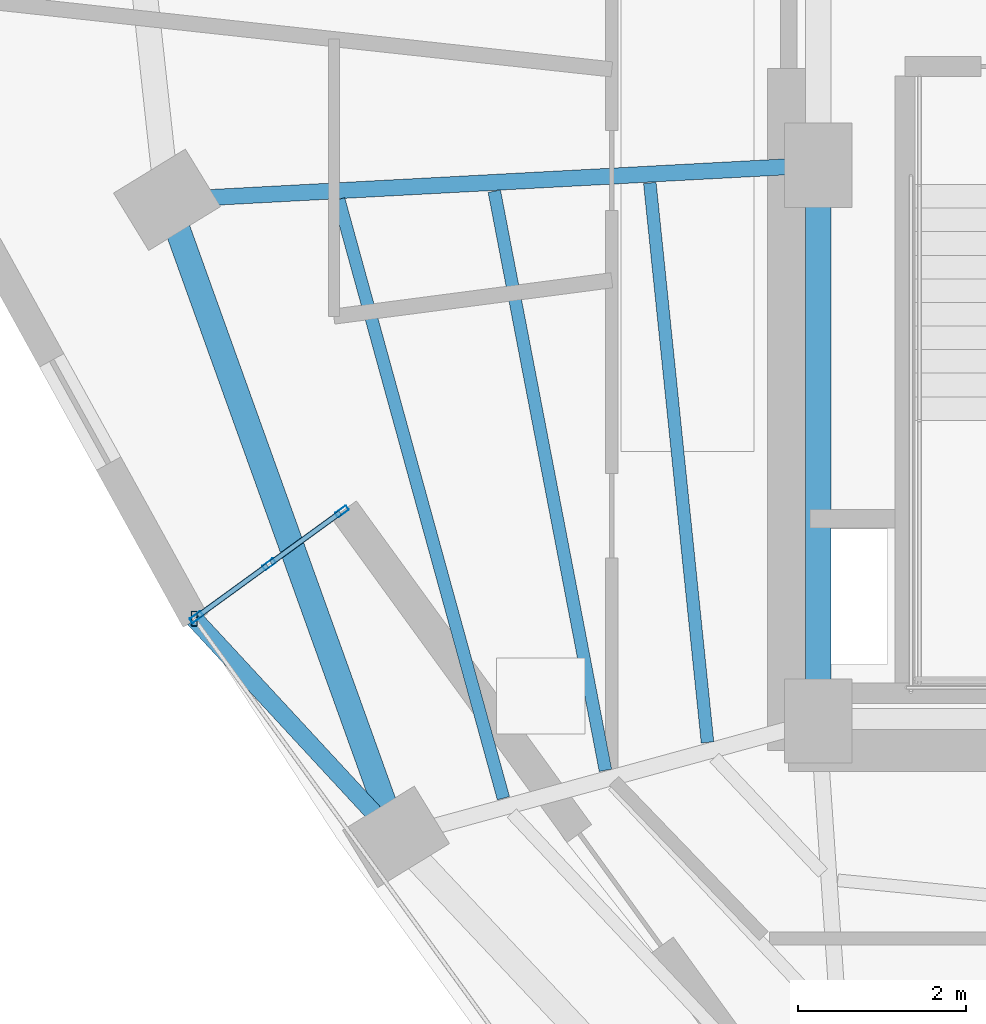
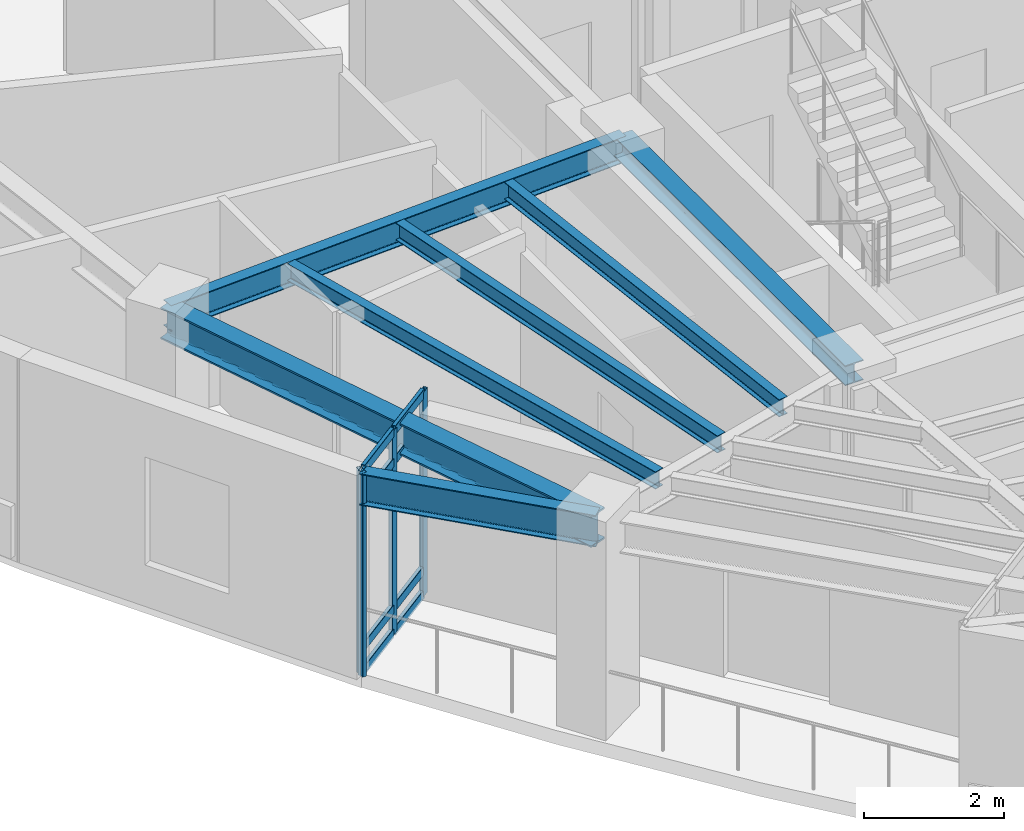
# One storey, part 4 of 12: 12 members, 7 beams, 1 element without a shape of its own.
"""IFC4 building model written with IfcOpenShell, lengths in metres."""

from ifc_helpers import new_model, si_unit, direction, frame, origin, origin_2d, place, context, subcontext, project, spatial, hollow_rectangle, i_section, extrude, material, layer, layer_set, material_profile, profile_set, type_object, element, aggregate, save


model = new_model("IFC4")

# Units and contexts
model_context = context("Model", 3, precision=1e-05, world=origin(), true_north=direction((0.0, 1.0)))
body_context = subcontext(model_context, "Body", "Model", "MODEL_VIEW")
ifc_project = project(units=[si_unit("LENGTHUNIT", "METRE"), si_unit("AREAUNIT", "SQUARE_METRE"), si_unit("VOLUMEUNIT", "CUBIC_METRE"), si_unit("PLANEANGLEUNIT", "RADIAN"), si_unit("MASSUNIT", "GRAM", prefix="KILO")], contexts=[model_context])

# Site, building, storey
site_placement = place(None, origin())
site = spatial("IfcSite", under=ifc_project, at=site_placement, CompositionType="ELEMENT")
building_placement = place(site_placement, origin())
building = spatial("IfcBuilding", under=site, at=building_placement, Name="Ndelora Gate Hotel", CompositionType="ELEMENT")
storey_placement = place(building_placement, frame((0.0, 0.0, 232.14990234375)))
storey = spatial("IfcBuildingStorey", under=building, at=storey_placement, Name="L58", CompositionType="ELEMENT", Elevation=232.14990234375)

# Beams
ifc_material_1 = material(Name="Steel S355", Category="steel")
ifc_material_profile_1 = material_profile(ifc_material_1, i_section(OverallWidth=0.300048828125, OverallDepth=0.35009765625, WebThickness=0.010009765625, FlangeThickness=0.017578125, FilletRadius=0.027099609375, at=origin_2d()), Name="HEA 360")
ifc_profile_set_1 = profile_set([ifc_material_profile_1], Name="Steel S355")
beam_type_1 = type_object("IfcBeamType", Name="BM-CORE-350", PredefinedType="BEAM", material=ifc_profile_set_1)
beam_1_placement = place(storey_placement, frame((-8.0, -6.60009765625, 3.375), z_axis=(0.0, 1.0, 0.0), x_axis=(-1.0, 0.0, 0.0)))
element("IfcBeam", 1, at=beam_1_placement, inside=storey, type_object=beam_type_1, Name="L58 Core Tie Girder CC1-CC8", PredefinedType="BEAM", context=body_context, shape_type="SweptSolid", body=[
    extrude(i_section(OverallWidth=0.300048828125, OverallDepth=0.35009765625, WebThickness=0.010009765625, FlangeThickness=0.017578125, FilletRadius=0.027099609375, at=origin_2d()), origin(), (0.0, 0.0, 1.0), 6.60009765625),
])
ifc_material_profile_2 = material_profile(ifc_material_1, i_section(OverallWidth=0.14990234375, OverallDepth=0.300048828125, WebThickness=0.007080078125, FlangeThickness=0.0107421875, FilletRadius=0.014892578125, at=origin_2d()), Name="IPE 300")
ifc_profile_set_2 = profile_set([ifc_material_profile_2], Name="Steel S355")
beam_type_2 = type_object("IfcBeamType", Name="BM-JST-300", PredefinedType="JOIST", material=ifc_profile_set_2)
beam_2_placement = place(storey_placement, frame((-9.9990234375, -0.21142578125, 3.400146484375), z_axis=(0.10260596827, -0.994722079415, 0.0), x_axis=(0.994722079415, 0.10260596827, 0.0)))
element("IfcBeam", 2, at=beam_2_placement, inside=storey, type_object=beam_type_2, Name="L58 Secondary Composite Floor Joist IN-2", PredefinedType="JOIST", context=body_context, shape_type="SweptSolid", body=[
    extrude(i_section(OverallWidth=0.14990234375, OverallDepth=0.300048828125, WebThickness=0.007080078125, FlangeThickness=0.0107421875, FilletRadius=0.014892578125, at=origin_2d()), origin(), (0.0, 0.0, 1.0), 6.676513671875),
])
beam_3_placement = place(storey_placement, frame((-11.84521484375, -0.30908203125, 3.400146484375), z_axis=(0.188470955684, -0.982078764083, 0.0), x_axis=(0.982078764083, 0.188470955684, 0.0)))
element("IfcBeam", 3, at=beam_3_placement, inside=storey, type_object=beam_type_2, Name="L58 Secondary Composite Floor Joist MID-2", PredefinedType="JOIST", context=body_context, shape_type="SweptSolid", body=[
    extrude(i_section(OverallWidth=0.14990234375, OverallDepth=0.300048828125, WebThickness=0.007080078125, FlangeThickness=0.0107421875, FilletRadius=0.014892578125, at=origin_2d()), origin(), (0.0, 0.0, 1.0), 7.000244140625),
])
beam_4_placement = place(storey_placement, frame((-13.6923828125, -0.406005859375, 3.400146484375), z_axis=(0.2652180483, -0.964188460238, 0.0), x_axis=(0.964188460238, 0.2652180483, 0.0)))
element("IfcBeam", 4, at=beam_4_placement, inside=storey, type_object=beam_type_2, Name="L58 Secondary Composite Floor Joist OUT-2", PredefinedType="JOIST", context=body_context, shape_type="SweptSolid", body=[
    extrude(i_section(OverallWidth=0.14990234375, OverallDepth=0.300048828125, WebThickness=0.007080078125, FlangeThickness=0.0107421875, FilletRadius=0.014892578125, at=origin_2d()), origin(), (0.0, 0.0, 1.0), 7.37353515625),
])
ifc_material_profile_3 = material_profile(ifc_material_1, i_section(OverallWidth=0.18994140625, OverallDepth=0.449951171875, WebThickness=0.009521484375, FlangeThickness=0.0146484375, FilletRadius=0.02099609375, at=origin_2d()), Name="IPE 450")
ifc_profile_set_3 = profile_set([ifc_material_profile_3], Name="Steel S355")
beam_type_3 = type_object("IfcBeamType", Name="BM-RAD-450", PredefinedType="BEAM", material=ifc_profile_set_3)
beam_5_placement = place(storey_placement, frame((-8.0, 0.0, 3.3251953125), z_axis=(-0.998583554121, -0.053206065814, 0.0), x_axis=(0.053206065814, -0.998583554121, 0.0)))
element("IfcBeam", 5, at=beam_5_placement, inside=storey, type_object=beam_type_3, Name="L58 Radial Floor Girder 2", PredefinedType="BEAM", context=body_context, shape_type="SweptSolid", body=[
    extrude(i_section(OverallWidth=0.18994140625, OverallDepth=0.449951171875, WebThickness=0.009521484375, FlangeThickness=0.0146484375, FilletRadius=0.02099609375, at=origin_2d()), origin(), (0.0, 0.0, 1.0), 7.740966796875),
])
ifc_material_profile_4 = material_profile(ifc_material_1, i_section(OverallWidth=0.2099609375, OverallDepth=0.550048828125, WebThickness=0.010986328125, FlangeThickness=0.01708984375, FilletRadius=0.02392578125, at=origin_2d()), Name="IPE 550")
ifc_profile_set_4 = profile_set([ifc_material_profile_4], Name="Steel S355")
beam_type_4 = type_object("IfcBeamType", Name="BM-RAD-550", PredefinedType="BEAM", material=ifc_profile_set_4)
beam_6_placement = place(storey_placement, frame((-13.011962890625, -7.973876953125, 3.275146484375), z_axis=(-0.679096061615, 0.734049411892, 0.0), x_axis=(-0.734049411892, -0.679096061615, 0.0)))
element("IfcBeam", 6, at=beam_6_placement, inside=storey, type_object=beam_type_4, Name="L58 Sky-Garden Loggia Column Bracket 1", PredefinedType="BEAM", context=body_context, shape_type="SweptSolid", body=[
    extrude(i_section(OverallWidth=0.2099609375, OverallDepth=0.550048828125, WebThickness=0.010986328125, FlangeThickness=0.01708984375, FilletRadius=0.02392578125, at=origin_2d()), origin(), (0.0, 0.0, 1.0), 3.527587890625),
])
ifc_material_profile_5 = material_profile(ifc_material_1, i_section(OverallWidth=0.300048828125, OverallDepth=0.550048828125, WebThickness=0.014892578125, FlangeThickness=0.029052734375, FilletRadius=0.027099609375, at=origin_2d()), Name="HEB 550")
ifc_profile_set_5 = profile_set([ifc_material_profile_5], Name="Steel S355")
beam_type_5 = type_object("IfcBeamType", Name="BM-RING-550", PredefinedType="SPANDREL", material=ifc_profile_set_5)
beam_7_placement = place(storey_placement, frame((-15.72998046875, -0.411865234375, 3.275146484375), z_axis=(0.338244972382, -0.941058095262, 0.0), x_axis=(0.941058095262, 0.338244972382, 0.0)))
element("IfcBeam", 7, at=beam_7_placement, inside=storey, type_object=beam_type_5, Name="L58 Perimeter Spandrel Girder 2", PredefinedType="SPANDREL", context=body_context, shape_type="SweptSolid", body=[
    extrude(i_section(OverallWidth=0.300048828125, OverallDepth=0.550048828125, WebThickness=0.014892578125, FlangeThickness=0.029052734375, FilletRadius=0.027099609375, at=origin_2d()), origin(), (0.0, 0.0, 1.0), 8.03564453125),
])

# Curtain wall, members
ifc_material_2 = material(Name="Bronze Anodised Unitised Aluminium and Low-E Glass", Category="aluminium")
ifc_layer = layer(ifc_material_2, 0.199951171875)
ifc_layer_set = layer_set([ifc_layer], Name="Bronze Anodised Unitised Aluminium and Low-E Glass")
curtain_wall_type = type_object("IfcCurtainWallType", Name="CW-SYS-3", PredefinedType="NOTDEFINED", material=ifc_layer_set)
curtain_wall_placement = place(storey_placement, origin())
curtain_wall = element("IfcCurtainWall", 8, at=curtain_wall_placement, inside=storey, type_object=curtain_wall_type, Name="L58 Sky-Garden Loggia Side Curtain Wall CW3-1", PredefinedType="NOTDEFINED")
ifc_material_3 = material(Name="Bronze Anodised Aluminium 6063-T6", Category="aluminium")
ifc_material_profile_6 = material_profile(ifc_material_3, hollow_rectangle(XDim=0.06494140625, YDim=0.159912109375, WallThickness=0.00390625, InnerFilletRadius=0.00390625, OuterFilletRadius=0.008056640625, at=origin_2d()), Name="ALU 160x65x4")
ifc_profile_set_6 = profile_set([ifc_material_profile_6], Name="Bronze Anodised Aluminium 6063-T6")
member_type_1 = type_object("IfcMemberType", Name="MB-CW-MUL150", PredefinedType="MULLION", material=ifc_profile_set_6)
member_1_placement = place(storey_placement, frame((-13.65380859375, -4.110595703125, -0.00390625), z_axis=(0.0, 0.0, 1.0), x_axis=(0.587785135859, -0.809017078969, 0.0)))
member_1 = element("IfcMember", 9, at=member_1_placement, type_object=member_type_1, Name="CW3 mullion 1", PredefinedType="MULLION", context=body_context, shape_type="SweptSolid", body=[
    extrude(hollow_rectangle(XDim=0.06494140625, YDim=0.159912109375, WallThickness=0.00390625, InnerFilletRadius=0.00390625, OuterFilletRadius=0.008056640625, at=origin_2d()), origin(), (0.0, 0.0, 1.0), 3.55810546875),
])
member_2_placement = place(storey_placement, frame((-14.517578125, -4.738037109375, -0.00390625), z_axis=(0.0, 0.0, 1.0), x_axis=(0.587785135859, -0.809017078969, 0.0)))
member_2 = element("IfcMember", 10, at=member_2_placement, type_object=member_type_1, Name="CW3 mullion 2", PredefinedType="MULLION", context=body_context, shape_type="SweptSolid", body=[
    extrude(hollow_rectangle(XDim=0.06494140625, YDim=0.159912109375, WallThickness=0.00390625, InnerFilletRadius=0.00390625, OuterFilletRadius=0.008056640625, at=origin_2d()), origin(), (0.0, 0.0, 1.0), 3.55810546875),
])
member_3_placement = place(storey_placement, frame((-15.381103515625, -5.365478515625, -0.00390625), z_axis=(0.0, 0.0, 1.0), x_axis=(0.587785135859, -0.809017078969, 0.0)))
member_3 = element("IfcMember", 11, at=member_3_placement, type_object=member_type_1, Name="CW3 mullion 3", PredefinedType="MULLION", context=body_context, shape_type="SweptSolid", body=[
    extrude(hollow_rectangle(XDim=0.06494140625, YDim=0.159912109375, WallThickness=0.00390625, InnerFilletRadius=0.00390625, OuterFilletRadius=0.008056640625, at=origin_2d()), origin(), (0.0, 0.0, 1.0), 3.55810546875),
])
ifc_material_profile_7 = material_profile(ifc_material_3, hollow_rectangle(XDim=0.070068359375, YDim=0.179931640625, WallThickness=0.0048828125, InnerFilletRadius=0.0048828125, OuterFilletRadius=0.010009765625, at=origin_2d()), Name="ALU 180x70x5")
ifc_profile_set_7 = profile_set([ifc_material_profile_7], Name="Bronze Anodised Aluminium 6063-T6")
member_type_2 = type_object("IfcMemberType", Name="MB-CW-MUL180", PredefinedType="MULLION", material=ifc_profile_set_7)
member_4_placement = place(storey_placement, frame((-15.407470703125, -5.384521484375, 0.0), z_axis=(0.0, 0.0, 1.0), x_axis=(1.0, 0.0, 0.0)))
member_4 = element("IfcMember", 12, at=member_4_placement, type_object=member_type_2, Name="L58 Sky-Garden Loggia Corner Mullion Post 1", PredefinedType="MULLION", context=body_context, shape_type="SweptSolid", body=[
    extrude(hollow_rectangle(XDim=0.070068359375, YDim=0.179931640625, WallThickness=0.0048828125, InnerFilletRadius=0.0048828125, OuterFilletRadius=0.010009765625, at=origin_2d()), origin(), (0.0, 0.0, 1.0), 3.550048828125),
])
ifc_material_profile_8 = material_profile(ifc_material_3, hollow_rectangle(XDim=0.06494140625, YDim=0.159912109375, WallThickness=0.00390625, InnerFilletRadius=0.00390625, OuterFilletRadius=0.008056640625, at=origin_2d()), Name="ALU 160x65x4")
ifc_profile_set_8 = profile_set([ifc_material_profile_8], Name="Bronze Anodised Aluminium 6063-T6")
member_type_3 = type_object("IfcMemberType", Name="MB-CW-TRN150", PredefinedType="USERDEFINED", material=ifc_profile_set_8)
member_5_placement = place(storey_placement, frame((-13.67529296875, -4.126220703125, 0.03271484375), z_axis=(-0.809089769205, -0.58768507329, 0.0), x_axis=(0.58768507329, -0.809089769205, 0.0)))
member_5 = element("IfcMember", 13, at=member_5_placement, type_object=member_type_3, Name="CW3 transom 1.1", ObjectType="TRANSOM", PredefinedType="USERDEFINED", context=body_context, shape_type="SweptSolid", body=[
    extrude(hollow_rectangle(XDim=0.06494140625, YDim=0.159912109375, WallThickness=0.00390625, InnerFilletRadius=0.00390625, OuterFilletRadius=0.008056640625, at=origin_2d()), origin(), (0.0, 0.0, 1.0), 1.014404296875),
])
member_6_placement = place(storey_placement, frame((-13.67529296875, -4.126220703125, 0.4501953125), z_axis=(-0.809089769205, -0.58768507329, 0.0), x_axis=(0.58768507329, -0.809089769205, 0.0)))
member_6 = element("IfcMember", 14, at=member_6_placement, type_object=member_type_3, Name="CW3 transom 1.2", ObjectType="TRANSOM", PredefinedType="USERDEFINED", context=body_context, shape_type="SweptSolid", body=[
    extrude(hollow_rectangle(XDim=0.06494140625, YDim=0.159912109375, WallThickness=0.00390625, InnerFilletRadius=0.00390625, OuterFilletRadius=0.008056640625, at=origin_2d()), origin(), (0.0, 0.0, 1.0), 1.014404296875),
])
member_7_placement = place(storey_placement, frame((-13.67529296875, -4.126220703125, 3.0), z_axis=(-0.809089769205, -0.58768507329, 0.0), x_axis=(0.58768507329, -0.809089769205, 0.0)))
member_7 = element("IfcMember", 15, at=member_7_placement, type_object=member_type_3, Name="CW3 transom 1.3", ObjectType="TRANSOM", PredefinedType="USERDEFINED", context=body_context, shape_type="SweptSolid", body=[
    extrude(hollow_rectangle(XDim=0.06494140625, YDim=0.159912109375, WallThickness=0.00390625, InnerFilletRadius=0.00390625, OuterFilletRadius=0.008056640625, at=origin_2d()), origin(), (0.0, 0.0, 1.0), 1.014404296875),
])
member_8_placement = place(storey_placement, frame((-13.67529296875, -4.126220703125, 3.517578125), z_axis=(-0.809089769205, -0.58768507329, 0.0), x_axis=(0.58768507329, -0.809089769205, 0.0)))
member_8 = element("IfcMember", 16, at=member_8_placement, type_object=member_type_3, Name="CW3 transom 1.4", ObjectType="TRANSOM", PredefinedType="USERDEFINED", context=body_context, shape_type="SweptSolid", body=[
    extrude(hollow_rectangle(XDim=0.06494140625, YDim=0.159912109375, WallThickness=0.00390625, InnerFilletRadius=0.00390625, OuterFilletRadius=0.008056640625, at=origin_2d()), origin(), (0.0, 0.0, 1.0), 1.014404296875),
])
member_9_placement = place(storey_placement, frame((-14.538818359375, -4.753662109375, 0.03271484375), z_axis=(-0.809089769205, -0.58768507329, 0.0), x_axis=(0.58768507329, -0.809089769205, 0.0)))
member_9 = element("IfcMember", 17, at=member_9_placement, type_object=member_type_3, Name="CW3 transom 2.1", ObjectType="TRANSOM", PredefinedType="USERDEFINED", context=body_context, shape_type="SweptSolid", body=[
    extrude(hollow_rectangle(XDim=0.06494140625, YDim=0.159912109375, WallThickness=0.00390625, InnerFilletRadius=0.00390625, OuterFilletRadius=0.008056640625, at=origin_2d()), origin(), (0.0, 0.0, 1.0), 1.014404296875),
])
member_10_placement = place(storey_placement, frame((-14.538818359375, -4.753662109375, 0.4501953125), z_axis=(-0.809089769205, -0.58768507329, 0.0), x_axis=(0.58768507329, -0.809089769205, 0.0)))
member_10 = element("IfcMember", 18, at=member_10_placement, type_object=member_type_3, Name="CW3 transom 2.2", ObjectType="TRANSOM", PredefinedType="USERDEFINED", context=body_context, shape_type="SweptSolid", body=[
    extrude(hollow_rectangle(XDim=0.06494140625, YDim=0.159912109375, WallThickness=0.00390625, InnerFilletRadius=0.00390625, OuterFilletRadius=0.008056640625, at=origin_2d()), origin(), (0.0, 0.0, 1.0), 1.014404296875),
])
member_11_placement = place(storey_placement, frame((-14.538818359375, -4.753662109375, 3.0), z_axis=(-0.809089769205, -0.58768507329, 0.0), x_axis=(0.58768507329, -0.809089769205, 0.0)))
member_11 = element("IfcMember", 19, at=member_11_placement, type_object=member_type_3, Name="CW3 transom 2.3", ObjectType="TRANSOM", PredefinedType="USERDEFINED", context=body_context, shape_type="SweptSolid", body=[
    extrude(hollow_rectangle(XDim=0.06494140625, YDim=0.159912109375, WallThickness=0.00390625, InnerFilletRadius=0.00390625, OuterFilletRadius=0.008056640625, at=origin_2d()), origin(), (0.0, 0.0, 1.0), 1.014404296875),
])
member_12_placement = place(storey_placement, frame((-14.538818359375, -4.753662109375, 3.517578125), z_axis=(-0.809089769205, -0.58768507329, 0.0), x_axis=(0.58768507329, -0.809089769205, 0.0)))
member_12 = element("IfcMember", 20, at=member_12_placement, type_object=member_type_3, Name="CW3 transom 2.4", ObjectType="TRANSOM", PredefinedType="USERDEFINED", context=body_context, shape_type="SweptSolid", body=[
    extrude(hollow_rectangle(XDim=0.06494140625, YDim=0.159912109375, WallThickness=0.00390625, InnerFilletRadius=0.00390625, OuterFilletRadius=0.008056640625, at=origin_2d()), origin(), (0.0, 0.0, 1.0), 1.014404296875),
])
aggregate(curtain_wall, [member_1, member_2, member_3, member_5, member_6, member_7, member_8, member_9, member_10, member_11, member_12, member_4])

save(model, "model.ifc")
